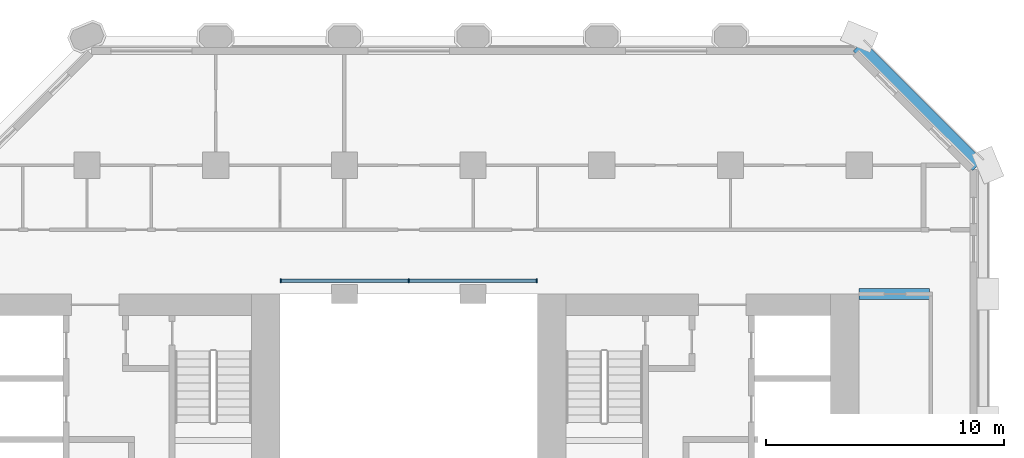
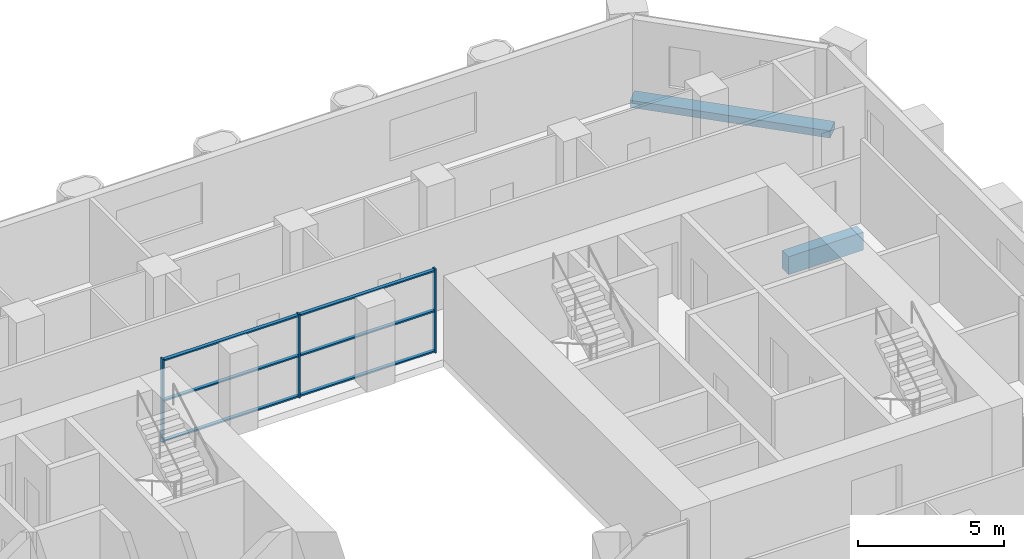
# One storey, part 6 of 14: 9 members, 2 beams, 1 element without a shape of its own.
"""IFC4 building model written with IfcOpenShell, lengths in metres."""

from ifc_helpers import new_model, si_unit, direction, frame, origin, origin_2d, place, context, subcontext, project, spatial, rectangle, extrude, material, material_profile, profile_set, type_object, element, aggregate, save


model = new_model("IFC4")

# Units and contexts
model_context = context("Model", 3, precision=1e-05, world=origin(), true_north=direction((0.0, 1.0)))
body_context = subcontext(model_context, "Body", "Model", "MODEL_VIEW")
ifc_project = project(units=[si_unit("LENGTHUNIT", "METRE"), si_unit("AREAUNIT", "SQUARE_METRE"), si_unit("VOLUMEUNIT", "CUBIC_METRE"), si_unit("PLANEANGLEUNIT", "RADIAN"), si_unit("MASSUNIT", "GRAM", prefix="KILO")], contexts=[model_context])

# Site, building, storey
site_placement = place(None, origin())
site = spatial("IfcSite", under=ifc_project, at=site_placement, CompositionType="ELEMENT")
building_placement = place(site_placement, origin())
building = spatial("IfcBuilding", under=site, at=building_placement, Name="Tabaq Tower and Sports Hall", CompositionType="ELEMENT")
storey_placement = place(building_placement, frame((0.0, 0.0, 52.60009765625)))
storey = spatial("IfcBuildingStorey", under=building, at=storey_placement, Name="L11", CompositionType="ELEMENT", Elevation=52.60009765625)

# Curtain wall, members
ifc_material_1 = material(Name="Aluminium alloy 6063-T6 framed glazing", Category="aluminium")
curtain_wall_type = type_object("IfcCurtainWallType", Name="CW1 curtain wall", PredefinedType="USERDEFINED", material=ifc_material_1)
curtain_wall_placement = place(storey_placement, origin())
curtain_wall = element("IfcCurtainWall", 1, at=curtain_wall_placement, inside=storey, type_object=curtain_wall_type, Name="Atrium glazing L11 N", ObjectType="ATRIUM ENCLOSURE", PredefinedType="USERDEFINED")
ifc_material_2 = material(Name="Aluminium alloy 6063-T6", Category="aluminium")
ifc_material_profile_1 = material_profile(ifc_material_2, rectangle(XDim=0.159912109375, YDim=0.06005859375, at=origin_2d()), Name="MULLION 160x60")
ifc_profile_set_1 = profile_set([ifc_material_profile_1], Name="Aluminium alloy 6063-T6")
member_type_1 = type_object("IfcMemberType", Name="CW1 mullion 160x60", PredefinedType="MULLION", material=ifc_profile_set_1)
member_1_placement = place(storey_placement, frame((18.929931640625, 32.949951171875, 0.0), z_axis=(0.0, 0.0, 1.0), x_axis=(0.0, 1.0, 0.0)))
member_1 = element("IfcMember", 2, at=member_1_placement, type_object=member_type_1, Name="CW1 mullion 1", PredefinedType="MULLION", context=body_context, shape_type="SweptSolid", body=[
    extrude(rectangle(XDim=0.159912109375, YDim=0.06005859375, at=origin_2d()), origin(), (0.0, 0.0, 1.0), 3.5),
])
member_2_placement = place(storey_placement, frame((24.300048828125, 32.949951171875, 0.0), z_axis=(0.0, 0.0, 1.0), x_axis=(0.0, 1.0, 0.0)))
member_2 = element("IfcMember", 3, at=member_2_placement, type_object=member_type_1, Name="CW1 mullion 2", PredefinedType="MULLION", context=body_context, shape_type="SweptSolid", body=[
    extrude(rectangle(XDim=0.159912109375, YDim=0.06005859375, at=origin_2d()), origin(), (0.0, 0.0, 1.0), 3.5),
])
member_3_placement = place(storey_placement, frame((29.669921875, 32.949951171875, 0.0), z_axis=(0.0, 0.0, 1.0), x_axis=(0.0, 1.0, 0.0)))
member_3 = element("IfcMember", 4, at=member_3_placement, type_object=member_type_1, Name="CW1 mullion 3", PredefinedType="MULLION", context=body_context, shape_type="SweptSolid", body=[
    extrude(rectangle(XDim=0.159912109375, YDim=0.06005859375, at=origin_2d()), origin(), (0.0, 0.0, 1.0), 3.5),
])
ifc_material_3 = material(Name="Aluminium alloy 6063-T6", Category="aluminium")
ifc_material_profile_2 = material_profile(ifc_material_3, rectangle(XDim=0.139892578125, YDim=0.06005859375, at=origin_2d()), Name="TRANSOM 140x60")
ifc_profile_set_2 = profile_set([ifc_material_profile_2], Name="Aluminium alloy 6063-T6")
member_type_2 = type_object("IfcMemberType", Name="CW1 transom 140x60", PredefinedType="USERDEFINED", material=ifc_profile_set_2)
member_4_placement = place(storey_placement, frame((18.9599609375, 32.949951171875, 0.06982421875), z_axis=(1.0, 0.0, 0.0), x_axis=(0.0, 1.0, 0.0)))
member_4 = element("IfcMember", 5, at=member_4_placement, type_object=member_type_2, Name="CW1 transom 1.1", ObjectType="TRANSOM", PredefinedType="USERDEFINED", context=body_context, shape_type="SweptSolid", body=[
    extrude(rectangle(XDim=0.139892578125, YDim=0.06005859375, at=origin_2d()), origin(), (0.0, 0.0, 1.0), 5.31005859375),
])
member_5_placement = place(storey_placement, frame((18.9599609375, 32.949951171875, 1.75), z_axis=(1.0, 0.0, 0.0), x_axis=(0.0, 1.0, 0.0)))
member_5 = element("IfcMember", 6, at=member_5_placement, type_object=member_type_2, Name="CW1 transom 1.2", ObjectType="TRANSOM", PredefinedType="USERDEFINED", context=body_context, shape_type="SweptSolid", body=[
    extrude(rectangle(XDim=0.139892578125, YDim=0.06005859375, at=origin_2d()), origin(), (0.0, 0.0, 1.0), 5.31005859375),
])
member_6_placement = place(storey_placement, frame((18.9599609375, 32.949951171875, 3.429931640625), z_axis=(1.0, 0.0, 0.0), x_axis=(0.0, 1.0, 0.0)))
member_6 = element("IfcMember", 7, at=member_6_placement, type_object=member_type_2, Name="CW1 transom 1.3", ObjectType="TRANSOM", PredefinedType="USERDEFINED", context=body_context, shape_type="SweptSolid", body=[
    extrude(rectangle(XDim=0.139892578125, YDim=0.06005859375, at=origin_2d()), origin(), (0.0, 0.0, 1.0), 5.31005859375),
])
member_7_placement = place(storey_placement, frame((24.330078125, 32.949951171875, 0.06982421875), z_axis=(1.0, 0.0, 0.0), x_axis=(0.0, 1.0, 0.0)))
member_7 = element("IfcMember", 8, at=member_7_placement, type_object=member_type_2, Name="CW1 transom 2.1", ObjectType="TRANSOM", PredefinedType="USERDEFINED", context=body_context, shape_type="SweptSolid", body=[
    extrude(rectangle(XDim=0.139892578125, YDim=0.06005859375, at=origin_2d()), origin(), (0.0, 0.0, 1.0), 5.309814453125),
])
member_8_placement = place(storey_placement, frame((24.330078125, 32.949951171875, 1.75), z_axis=(1.0, 0.0, 0.0), x_axis=(0.0, 1.0, 0.0)))
member_8 = element("IfcMember", 9, at=member_8_placement, type_object=member_type_2, Name="CW1 transom 2.2", ObjectType="TRANSOM", PredefinedType="USERDEFINED", context=body_context, shape_type="SweptSolid", body=[
    extrude(rectangle(XDim=0.139892578125, YDim=0.06005859375, at=origin_2d()), origin(), (0.0, 0.0, 1.0), 5.309814453125),
])
member_9_placement = place(storey_placement, frame((24.330078125, 32.949951171875, 3.429931640625), z_axis=(1.0, 0.0, 0.0), x_axis=(0.0, 1.0, 0.0)))
member_9 = element("IfcMember", 10, at=member_9_placement, type_object=member_type_2, Name="CW1 transom 2.3", ObjectType="TRANSOM", PredefinedType="USERDEFINED", context=body_context, shape_type="SweptSolid", body=[
    extrude(rectangle(XDim=0.139892578125, YDim=0.06005859375, at=origin_2d()), origin(), (0.0, 0.0, 1.0), 5.309814453125),
])
aggregate(curtain_wall, [member_1, member_2, member_3, member_4, member_5, member_6, member_7, member_8, member_9])

# Beams
ifc_material_4 = material(Name="Concrete C40/50", Category="concrete")
ifc_material_profile_3 = material_profile(ifc_material_4, rectangle(XDim=0.449951171875, YDim=0.75, at=origin_2d()), Name="CB 450x750")
ifc_profile_set_3 = profile_set([ifc_material_profile_3], Name="Concrete C40/50")
beam_type_1 = type_object("IfcBeamType", Name="PT CANTILEVER BEAM CB 450x750 C40/50", PredefinedType="BEAM", material=ifc_profile_set_3)
beam_1_placement = place(storey_placement, frame((46.14990234375, 32.39990234375, -0.675048828125), z_axis=(-1.0, 0.0, 0.0), x_axis=(0.0, -1.0, 0.0)))
element("IfcBeam", 11, at=beam_1_placement, inside=storey, type_object=beam_type_1, Name="Cantilever Beam L11 E6 span 1", PredefinedType="BEAM", context=body_context, shape_type="SweptSolid", body=[
    extrude(rectangle(XDim=0.449951171875, YDim=0.75, at=origin_2d()), origin(), (0.0, 0.0, 1.0), 2.949951171875),
])
ifc_material_5 = material(Name="Concrete C40/50", Category="concrete")
ifc_material_profile_4 = material_profile(ifc_material_5, rectangle(XDim=0.60009765625, YDim=0.300048828125, at=origin_2d()), Name="EB 600x300")
ifc_profile_set_4 = profile_set([ifc_material_profile_4], Name="Concrete C40/50")
beam_type_2 = type_object("IfcBeamType", Name="PT EDGE BEAM EB 600x300 C40/50", PredefinedType="SPANDREL", material=ifc_profile_set_4)
beam_2_placement = place(storey_placement, frame((48.1767578125, 37.799072265625, -0.150146484375), z_axis=(-0.707124002701, 0.707089559252, 0.0), x_axis=(-0.707089559252, -0.707124002701, 0.0)))
element("IfcBeam", 12, at=beam_2_placement, inside=storey, type_object=beam_type_2, Name="Edge Beam L11 4", PredefinedType="SPANDREL", context=body_context, shape_type="SweptSolid", body=[
    extrude(rectangle(XDim=0.60009765625, YDim=0.300048828125, at=origin_2d()), origin(), (0.0, 0.0, 1.0), 7.088134765625),
])

save(model, "model.ifc")
